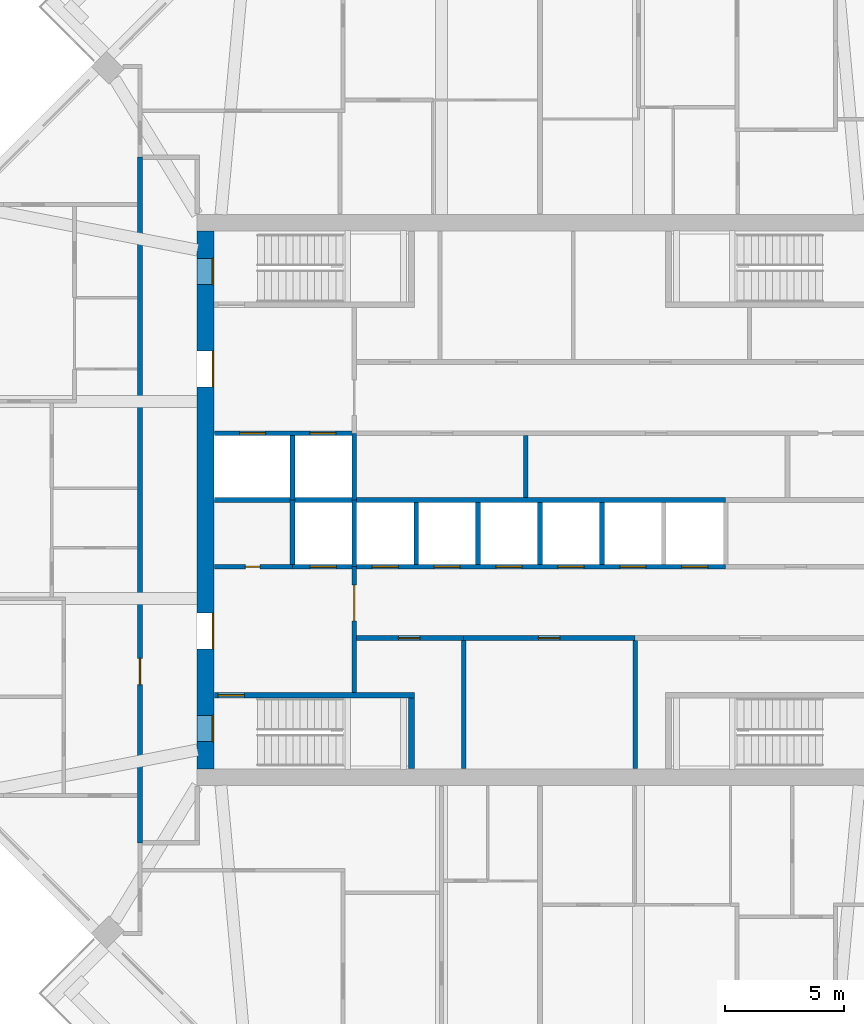
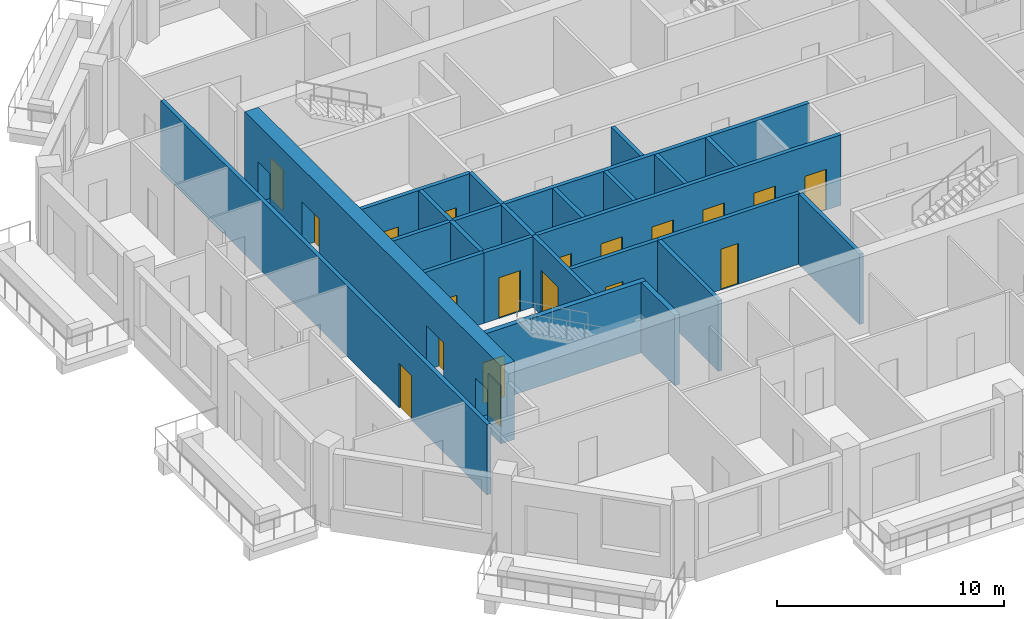
# One storey, part 4 of 12: 22 walls, 19 doors, 19 openings.
"""IFC4 building model written with IfcOpenShell, lengths in metres."""

from ifc_helpers import new_model, si_unit, direction, frame, frame_2d, origin, place, context, subcontext, project, spatial, rectangle, extrude, material, layer, layer_set, type_object, element, fill, save


model = new_model("IFC4")

# Units and contexts
model_context = context("Model", 3, precision=1e-05, world=origin(), true_north=direction((0.0, 1.0)))
body_context = subcontext(model_context, "Body", "Model", "MODEL_VIEW")
ifc_project = project(units=[si_unit("LENGTHUNIT", "METRE"), si_unit("AREAUNIT", "SQUARE_METRE"), si_unit("VOLUMEUNIT", "CUBIC_METRE"), si_unit("PLANEANGLEUNIT", "RADIAN"), si_unit("MASSUNIT", "GRAM", prefix="KILO")], contexts=[model_context])

# Site, building, storey
site_placement = place(None, origin())
site = spatial("IfcSite", under=ifc_project, at=site_placement, CompositionType="ELEMENT")
building_placement = place(site_placement, origin())
building = spatial("IfcBuilding", under=site, at=building_placement, Name="Msitu Wima Residences", CompositionType="ELEMENT")
storey_placement = place(building_placement, frame((0.0, 0.0, 204.300048828125)))
storey = spatial("IfcBuildingStorey", under=building, at=storey_placement, Name="L47", CompositionType="ELEMENT", Elevation=204.300048828125)

# Wall, openings, doors
ifc_material_1 = material(Name="Concrete C60/75", Category="concrete")
ifc_layer_1 = layer(ifc_material_1, 0.699951171875)
ifc_layer_set_1 = layer_set([ifc_layer_1], Name="Concrete C60/75")
wall_type_1 = type_object("IfcWallType", Name="Core wall CW700 C60/75", PredefinedType="SHEAR", material=ifc_layer_set_1)
wall_1_placement = place(storey_placement, frame((-14.050048828125, -11.300048828125, 0.0), z_axis=(0.0, 0.0, 1.0), x_axis=(0.0, 1.0, 0.0)))
wall_1 = element("IfcWall", 1, at=wall_1_placement, inside=storey, type_object=wall_type_1, Name="Core wall", PredefinedType="SHEAR", context=body_context, shape_type="SweptSolid", body=[
    extrude(rectangle(XDim=22.60009765625, YDim=0.699951171875, at=frame_2d((11.300048828125, 0.0))), origin(), (0.0, 0.0, 1.0), 4.199951171875),
])
opening_1_placement = place(wall_1_placement, frame((20.35009765625, 0.0, 0.0)))
opening_1 = element("IfcOpeningElement", 2, at=opening_1_placement, cuts=wall_1, Name="Opening D47.077", PredefinedType="OPENING", context=body_context, shape_type="SweptSolid", body=[
    extrude(rectangle(XDim=1.10009765625, YDim=2.199951171875, at=frame_2d((0.550048828125, 1.10009765625))), frame((0.0, 0.35986328125, 0.0), z_axis=(0.0, -1.0, 0.0), x_axis=(1.0, 0.0, 0.0)), (0.0, 0.0, 1.0), 0.719970703125),
])
opening_2_placement = place(wall_1_placement, frame((1.14990234375, 0.0, 0.0)))
opening_2 = element("IfcOpeningElement", 3, at=opening_2_placement, cuts=wall_1, Name="Opening D47.079", PredefinedType="OPENING", context=body_context, shape_type="SweptSolid", body=[
    extrude(rectangle(XDim=1.10009765625, YDim=2.199951171875, at=frame_2d((0.550048828125, 1.10009765625))), frame((0.0, 0.35986328125, 0.0), z_axis=(0.0, -1.0, 0.0), x_axis=(1.0, 0.0, 0.0)), (0.0, 0.0, 1.0), 0.719970703125),
])
opening_3_placement = place(wall_1_placement, frame((16.050048828125, 0.0, 0.0)))
opening_3 = element("IfcOpeningElement", 4, at=opening_3_placement, cuts=wall_1, Name="Opening D47.060", PredefinedType="OPENING", context=body_context, shape_type="SweptSolid", body=[
    extrude(rectangle(XDim=1.5, YDim=2.39990234375, at=frame_2d((0.75, 1.199951171875))), frame((0.0, 0.35986328125, 0.0), z_axis=(0.0, -1.0, 0.0), x_axis=(1.0, 0.0, 0.0)), (0.0, 0.0, 1.0), 0.719970703125),
])
opening_4_placement = place(wall_1_placement, frame((5.050048828125, 0.0, 0.0)))
opening_4 = element("IfcOpeningElement", 5, at=opening_4_placement, cuts=wall_1, Name="Opening D47.062", PredefinedType="OPENING", context=body_context, shape_type="SweptSolid", body=[
    extrude(rectangle(XDim=1.5, YDim=2.39990234375, at=frame_2d((0.75, 1.199951171875))), frame((0.0, 0.35986328125, 0.0), z_axis=(0.0, -1.0, 0.0), x_axis=(1.0, 0.0, 0.0)), (0.0, 0.0, 1.0), 0.719970703125),
])
ifc_material_2 = material(Name="Steel framed glazed door, fire resisting", Category="steel")
door_type_1 = type_object("IfcDoorType", Name="Lobby door D07 1500x2400", OperationType="DOUBLE_DOOR_SINGLE_SWING", PredefinedType="DOOR", material=ifc_material_2)
door_1_placement = place(opening_3_placement, origin())
door_1 = element("IfcDoor", 6, at=door_1_placement, inside=storey, type_object=door_type_1, Name="Lobby door", OperationType="DOUBLE_DOOR_SINGLE_SWING", OverallHeight=2.39990234375, OverallWidth=1.5, PredefinedType="DOOR", context=body_context, shape_type="SweptSolid", body=[
    extrude(rectangle(XDim=1.5, YDim=2.39990234375, at=frame_2d((0.75, 1.199951171875))), frame((0.0, -0.294921875, 0.0), z_axis=(0.0, -1.0, 0.0), x_axis=(1.0, 0.0, 0.0)), (0.0, 0.0, 1.0), 0.050048828125),
])
fill(opening_3, door_1)
door_2_placement = place(opening_4_placement, origin())
door_2 = element("IfcDoor", 7, at=door_2_placement, inside=storey, type_object=door_type_1, Name="Lobby door", OperationType="DOUBLE_DOOR_SINGLE_SWING", OverallHeight=2.39990234375, OverallWidth=1.5, PredefinedType="DOOR", context=body_context, shape_type="SweptSolid", body=[
    extrude(rectangle(XDim=1.5, YDim=2.39990234375, at=frame_2d((0.75, 1.199951171875))), frame((0.0, -0.294921875, 0.0), z_axis=(0.0, -1.0, 0.0), x_axis=(1.0, 0.0, 0.0)), (0.0, 0.0, 1.0), 0.050048828125),
])
fill(opening_4, door_2)
ifc_material_3 = material(Name="Steel door, fire resisting, panic bar", Category="steel")
door_type_2 = type_object("IfcDoorType", Name="Stair door D06 1100x2200", OperationType="SINGLE_SWING_LEFT", PredefinedType="DOOR", material=ifc_material_3)
door_3_placement = place(opening_1_placement, origin())
door_3 = element("IfcDoor", 8, at=door_3_placement, inside=storey, type_object=door_type_2, Name="Stair door", OperationType="SINGLE_SWING_RIGHT", OverallHeight=2.199951171875, OverallWidth=1.10009765625, PredefinedType="DOOR", context=body_context, shape_type="SweptSolid", body=[
    extrude(rectangle(XDim=1.10009765625, YDim=2.199951171875, at=frame_2d((0.550048828125, 1.10009765625))), frame((0.0, -0.294921875, 0.0), z_axis=(0.0, -1.0, 0.0), x_axis=(1.0, 0.0, 0.0)), (0.0, 0.0, 1.0), 0.050048828125),
])
fill(opening_1, door_3)
door_4_placement = place(opening_2_placement, origin())
door_4 = element("IfcDoor", 9, at=door_4_placement, inside=storey, type_object=door_type_2, Name="Stair door", OperationType="SINGLE_SWING_LEFT", OverallHeight=2.199951171875, OverallWidth=1.10009765625, PredefinedType="DOOR", context=body_context, shape_type="SweptSolid", body=[
    extrude(rectangle(XDim=1.10009765625, YDim=2.199951171875, at=frame_2d((0.550048828125, 1.10009765625))), frame((0.0, -0.294921875, 0.0), z_axis=(0.0, -1.0, 0.0), x_axis=(1.0, 0.0, 0.0)), (0.0, 0.0, 1.0), 0.050048828125),
])
fill(opening_2, door_4)

# Wall, opening, door
ifc_material_4 = material(Name="Plaster")
ifc_layer_2 = layer(ifc_material_4, 0.011962890625, Name="Plaster")
ifc_material_5 = material(Name="Concrete blockwork", Category="masonry")
ifc_layer_3 = layer(ifc_material_5, 0.176025390625, Name="Concrete blockwork")
ifc_layer_4 = layer(ifc_material_4, 0.011962890625, Name="Plaster")
ifc_layer_set_2 = layer_set([ifc_layer_2, ifc_layer_3, ifc_layer_4], Name="Concrete blockwork")
wall_type_2 = type_object("IfcWallType", Name="Corridor wall FW200", PredefinedType="PARTITIONING", material=ifc_layer_set_2)
wall_2_placement = place(storey_placement, frame((-16.800048828125, -14.39990234375, 0.0), z_axis=(0.0, 0.0, 1.0), x_axis=(0.0, 1.0, 0.0)))
wall_2 = element("IfcWall", 10, at=wall_2_placement, inside=storey, type_object=wall_type_2, Name="Corridor wall", PredefinedType="PARTITIONING", context=body_context, shape_type="SweptSolid", body=[
    extrude(rectangle(XDim=28.7998046875, YDim=0.199951171875, at=frame_2d((14.39990234375, 0.0))), origin(), (0.0, 0.0, 1.0), 3.7978515625),
])
opening_5_placement = place(wall_2_placement, frame((6.64990234375, 0.0, 0.0)))
opening_5 = element("IfcOpeningElement", 11, at=opening_5_placement, cuts=wall_2, Name="Opening D47.024", PredefinedType="OPENING", context=body_context, shape_type="SweptSolid", body=[
    extrude(rectangle(XDim=1.10009765625, YDim=2.39990234375, at=frame_2d((0.550048828125, 1.199951171875))), frame((0.0, 0.10986328125, 0.0), z_axis=(0.0, -1.0, 0.0), x_axis=(1.0, 0.0, 0.0)), (0.0, 0.0, 1.0), 0.219970703125),
])
ifc_material_6 = material(Name="Timber flush door, fire resisting, self-closing", Category="wood")
door_type_3 = type_object("IfcDoorType", Name="Flat entrance door D01 1100x2400", OperationType="SINGLE_SWING_LEFT", PredefinedType="DOOR", material=ifc_material_6)
door_5_placement = place(opening_5_placement, origin())
door_5 = element("IfcDoor", 12, at=door_5_placement, inside=storey, type_object=door_type_3, Name="Flat entrance door", OperationType="SINGLE_SWING_LEFT", OverallHeight=2.39990234375, OverallWidth=1.10009765625, PredefinedType="DOOR", context=body_context, shape_type="SweptSolid", body=[
    extrude(rectangle(XDim=1.10009765625, YDim=2.39990234375, at=frame_2d((0.550048828125, 1.199951171875))), frame((0.0, 0.02490234375, 0.0), z_axis=(0.0, -1.0, 0.0), x_axis=(1.0, 0.0, 0.0)), (0.0, 0.0, 1.0), 0.050048828125),
])
fill(opening_5, door_5)

wall_3_placement = place(storey_placement, frame((-7.800048828125, -8.074951171875, 0.0), z_axis=(0.0, 0.0, 1.0), x_axis=(0.0, 1.0, 0.0)))
wall_3 = element("IfcWall", 13, at=wall_3_placement, inside=storey, type_object=wall_type_2, Name="Corridor wall", PredefinedType="PARTITIONING", context=body_context, shape_type="SweptSolid", body=[
    extrude(rectangle(XDim=5.27490234375, YDim=0.199951171875, at=frame_2d((2.637451171875, 0.0))), origin(), (0.0, 0.0, 1.0), 3.7978515625),
])
opening_6_placement = place(wall_3_placement, frame((3.0, 0.0, 0.0)))
opening_6 = element("IfcOpeningElement", 14, at=opening_6_placement, cuts=wall_3, Name="Opening D47.063", PredefinedType="OPENING", context=body_context, shape_type="SweptSolid", body=[
    extrude(rectangle(XDim=1.5, YDim=2.39990234375, at=frame_2d((0.75, 1.199951171875))), frame((0.0, 0.10986328125, 0.0), z_axis=(0.0, -1.0, 0.0), x_axis=(1.0, 0.0, 0.0)), (0.0, 0.0, 1.0), 0.219970703125),
])
door_6_placement = place(opening_6_placement, origin())
door_6 = element("IfcDoor", 15, at=door_6_placement, inside=storey, type_object=door_type_1, Name="Lobby door", OperationType="DOUBLE_DOOR_SINGLE_SWING", OverallHeight=2.39990234375, OverallWidth=1.5, PredefinedType="DOOR", context=body_context, shape_type="SweptSolid", body=[
    extrude(rectangle(XDim=1.5, YDim=2.39990234375, at=frame_2d((0.75, 1.199951171875))), frame((0.0, 0.02490234375, 0.0), z_axis=(0.0, -1.0, 0.0), x_axis=(1.0, 0.0, 0.0)), (0.0, 0.0, 1.0), 0.050048828125),
])
fill(opening_6, door_6)

wall_4_placement = place(storey_placement, frame((-7.699951171875, -5.800048828125, 0.0), z_axis=(0.0, 0.0, 1.0), x_axis=(1.0, 0.0, 0.0)))
wall_4 = element("IfcWall", 16, at=wall_4_placement, inside=storey, type_object=wall_type_2, Name="Corridor wall", PredefinedType="PARTITIONING", context=body_context, shape_type="SweptSolid", body=[
    extrude(rectangle(XDim=4.47998046875, YDim=0.199951171875, at=frame_2d((2.239990234375, 0.0))), origin(), (0.0, 0.0, 1.0), 3.7978515625),
])
opening_7_placement = place(wall_4_placement, frame((1.75, 0.0, 0.0)))
opening_7 = element("IfcOpeningElement", 17, at=opening_7_placement, cuts=wall_4, Name="Opening D47.068", PredefinedType="OPENING", context=body_context, shape_type="SweptSolid", body=[
    extrude(rectangle(XDim=0.89990234375, YDim=2.199951171875, at=frame_2d((0.449951171875, 1.10009765625))), frame((0.0, 0.10986328125, 0.0), z_axis=(0.0, -1.0, 0.0), x_axis=(1.0, 0.0, 0.0)), (0.0, 0.0, 1.0), 0.219970703125),
])
ifc_material_7 = material(Name="Timber flush door", Category="wood")
door_type_4 = type_object("IfcDoorType", Name="Service door D05 900x2200", OperationType="SINGLE_SWING_LEFT", PredefinedType="DOOR", material=ifc_material_7)
door_7_placement = place(opening_7_placement, origin())
door_7 = element("IfcDoor", 18, at=door_7_placement, inside=storey, type_object=door_type_4, Name="Service door", OperationType="SINGLE_SWING_RIGHT", OverallHeight=2.199951171875, OverallWidth=0.89990234375, PredefinedType="DOOR", context=body_context, shape_type="SweptSolid", body=[
    extrude(rectangle(XDim=0.89990234375, YDim=2.199951171875, at=frame_2d((0.449951171875, 1.10009765625))), frame((0.0, 0.02490234375, 0.0), z_axis=(0.0, -1.0, 0.0), x_axis=(1.0, 0.0, 0.0)), (0.0, 0.0, 1.0), 0.050048828125),
])
fill(opening_7, door_7)

ifc_layer_5 = layer(ifc_material_4, 0.011962890625, Name="Plaster")
ifc_material_8 = material(Name="Reinforced concrete blockwork", Category="masonry")
ifc_layer_6 = layer(ifc_material_8, 0.176025390625, Name="Reinforced concrete blockwork")
ifc_layer_7 = layer(ifc_material_4, 0.011962890625, Name="Plaster")
ifc_layer_set_3 = layer_set([ifc_layer_5, ifc_layer_6, ifc_layer_7], Name="Reinforced concrete blockwork")
wall_type_3 = type_object("IfcWallType", Name="Plant and riser wall PL200", PredefinedType="PARTITIONING", material=ifc_layer_set_3)
wall_5_placement = place(storey_placement, frame((-13.669921875, -2.800048828125, 0.0), z_axis=(0.0, 0.0, 1.0), x_axis=(1.0, 0.0, 0.0)))
wall_5 = element("IfcWall", 19, at=wall_5_placement, inside=storey, type_object=wall_type_3, Name="Plant and riser wall", PredefinedType="PARTITIONING", context=body_context, shape_type="SweptSolid", body=[
    extrude(rectangle(XDim=3.27001953125, YDim=0.199951171875, at=frame_2d((1.635009765625, 0.0))), origin(), (0.0, 0.0, 1.0), 3.7978515625),
])
opening_8_placement = place(wall_5_placement, frame((1.300048828125, 0.0, 0.0)))
opening_8 = element("IfcOpeningElement", 20, at=opening_8_placement, cuts=wall_5, Name="Opening D47.076", PredefinedType="OPENING", context=body_context, shape_type="SweptSolid", body=[
    extrude(rectangle(XDim=0.60009765625, YDim=2.0, at=frame_2d((0.300048828125, 1.0))), frame((0.0, 0.10986328125, 0.0), z_axis=(0.0, -1.0, 0.0), x_axis=(1.0, 0.0, 0.0)), (0.0, 0.0, 1.0), 0.219970703125),
])
ifc_material_9 = material(Name="Steel access door, fire resisting", Category="steel")
door_type_5 = type_object("IfcDoorType", Name="Riser access door D08 600x2000", OperationType="SINGLE_SWING_LEFT", PredefinedType="DOOR", material=ifc_material_9)
door_8_placement = place(opening_8_placement, origin())
door_8 = element("IfcDoor", 21, at=door_8_placement, inside=storey, type_object=door_type_5, Name="Riser access door", OperationType="SINGLE_SWING_RIGHT", OverallHeight=2.0, OverallWidth=0.60009765625, PredefinedType="DOOR", context=body_context, shape_type="SweptSolid", body=[
    extrude(rectangle(XDim=0.60009765625, YDim=2.0, at=frame_2d((0.300048828125, 1.0))), frame((0.0, 0.02490234375, 0.0), z_axis=(0.0, -1.0, 0.0), x_axis=(1.0, 0.0, 0.0)), (0.0, 0.0, 1.0), 0.050048828125),
])
fill(opening_8, door_8)

wall_6_placement = place(storey_placement, frame((-3.219970703125, -5.800048828125, 0.0), z_axis=(0.0, 0.0, 1.0), x_axis=(1.0, 0.0, 0.0)))
wall_6 = element("IfcWall", 22, at=wall_6_placement, inside=storey, type_object=wall_type_3, Name="Plant and riser wall", PredefinedType="PARTITIONING", context=body_context, shape_type="SweptSolid", body=[
    extrude(rectangle(XDim=7.199951171875, YDim=0.199951171875, at=frame_2d((3.60009765625, 0.0))), origin(), (0.0, 0.0, 1.0), 3.7978515625),
])
opening_9_placement = place(wall_6_placement, frame((3.14990234375, 0.0, 0.0)))
opening_9 = element("IfcOpeningElement", 23, at=opening_9_placement, cuts=wall_6, Name="Opening D47.069", PredefinedType="OPENING", context=body_context, shape_type="SweptSolid", body=[
    extrude(rectangle(XDim=0.89990234375, YDim=2.199951171875, at=frame_2d((0.449951171875, 1.10009765625))), frame((0.0, 0.10986328125, 0.0), z_axis=(0.0, -1.0, 0.0), x_axis=(1.0, 0.0, 0.0)), (0.0, 0.0, 1.0), 0.219970703125),
])
door_9_placement = place(opening_9_placement, origin())
door_9 = element("IfcDoor", 24, at=door_9_placement, inside=storey, type_object=door_type_4, Name="Service door", OperationType="SINGLE_SWING_LEFT", OverallHeight=2.199951171875, OverallWidth=0.89990234375, PredefinedType="DOOR", context=body_context, shape_type="SweptSolid", body=[
    extrude(rectangle(XDim=0.89990234375, YDim=2.199951171875, at=frame_2d((0.449951171875, 1.10009765625))), frame((0.0, 0.02490234375, 0.0), z_axis=(0.0, -1.0, 0.0), x_axis=(1.0, 0.0, 0.0)), (0.0, 0.0, 1.0), 0.050048828125),
])
fill(opening_9, door_9)

# Walls
wall_7_placement = place(storey_placement, frame((-3.199951171875, -11.27001953125, 0.0), z_axis=(0.0, 0.0, 1.0), x_axis=(0.0, 1.0, 0.0)))
element("IfcWall", 25, at=wall_7_placement, inside=storey, type_object=wall_type_3, Name="Plant and riser wall", PredefinedType="PARTITIONING", context=body_context, shape_type="SweptSolid", body=[
    extrude(rectangle(XDim=5.3701171875, YDim=0.199951171875, at=frame_2d((2.68505859375, 0.0))), origin(), (0.0, 0.0, 1.0), 3.7978515625),
])
wall_8_placement = place(storey_placement, frame((-0.60009765625, 0.10009765625, 0.0), z_axis=(0.0, 0.0, 1.0), x_axis=(0.0, 1.0, 0.0)))
element("IfcWall", 26, at=wall_8_placement, inside=storey, type_object=wall_type_3, Name="Plant and riser wall", PredefinedType="PARTITIONING", context=body_context, shape_type="SweptSolid", body=[
    extrude(rectangle(XDim=2.599853515625, YDim=0.199951171875, at=frame_2d((1.2998046875, 0.0))), origin(), (0.0, 0.0, 1.0), 3.7978515625),
])
wall_9_placement = place(storey_placement, frame((4.0, -11.27001953125, 0.0), z_axis=(0.0, 0.0, 1.0), x_axis=(0.0, 1.0, 0.0)))
element("IfcWall", 27, at=wall_9_placement, inside=storey, type_object=wall_type_3, Name="Plant and riser wall", PredefinedType="PARTITIONING", context=body_context, shape_type="SweptSolid", body=[
    extrude(rectangle(XDim=5.3701171875, YDim=0.199951171875, at=frame_2d((2.68505859375, 0.0))), origin(), (0.0, 0.0, 1.0), 3.7978515625),
])
ifc_material_10 = material(Name="Fire-rated board")
ifc_layer_8 = layer(ifc_material_10, 0.02490234375, Name="Fire-rated board")
ifc_material_11 = material(Name="Light-gauge stud framing with mineral wool")
ifc_layer_9 = layer(ifc_material_11, 0.14990234375, Name="Light-gauge stud framing with mineral wool")
ifc_layer_10 = layer(ifc_material_10, 0.02490234375, Name="Fire-rated board")
ifc_layer_set_4 = layer_set([ifc_layer_8, ifc_layer_9, ifc_layer_10], Name="Light-gauge stud framing with mineral wool")
wall_type_4 = type_object("IfcWallType", Name="Shaft wall SH200", PredefinedType="PARTITIONING", material=ifc_layer_set_4)
wall_10_placement = place(storey_placement, frame((-13.669921875, 0.0, 0.0), z_axis=(0.0, 0.0, 1.0), x_axis=(1.0, 0.0, 0.0)))
element("IfcWall", 28, at=wall_10_placement, inside=storey, type_object=wall_type_4, Name="Shaft wall", PredefinedType="PARTITIONING", context=body_context, shape_type="SweptSolid", body=[
    extrude(rectangle(XDim=21.469970703125, YDim=0.199951171875, at=frame_2d((10.73486328125, 0.0))), origin(), (0.0, 0.0, 1.0), 3.7978515625),
])

# Wall, openings, doors
wall_11_placement = place(storey_placement, frame((-13.669921875, 2.800048828125, 0.0), z_axis=(0.0, 0.0, 1.0), x_axis=(1.0, 0.0, 0.0)))
wall_11 = element("IfcWall", 29, at=wall_11_placement, inside=storey, type_object=wall_type_4, Name="Shaft wall", PredefinedType="PARTITIONING", context=body_context, shape_type="SweptSolid", body=[
    extrude(rectangle(XDim=5.849853515625, YDim=0.199951171875, at=frame_2d((2.9248046875, 0.0))), origin(), (0.0, 0.0, 1.0), 3.7978515625),
])
opening_10_placement = place(wall_11_placement, frame((1.050048828125, 0.0, 0.0)))
opening_10 = element("IfcOpeningElement", 30, at=opening_10_placement, cuts=wall_11, Name="Opening LD", PredefinedType="OPENING", context=body_context, shape_type="SweptSolid", body=[
    extrude(rectangle(XDim=1.10009765625, YDim=2.199951171875, at=frame_2d((0.550048828125, 1.10009765625))), frame((0.0, 0.10986328125, 0.0), z_axis=(0.0, -1.0, 0.0), x_axis=(1.0, 0.0, 0.0)), (0.0, 0.0, 1.0), 0.219970703125),
])
opening_11_placement = place(wall_11_placement, frame((4.0, 0.0, 0.0)))
opening_11 = element("IfcOpeningElement", 31, at=opening_11_placement, cuts=wall_11, Name="Opening LD", PredefinedType="OPENING", context=body_context, shape_type="SweptSolid", body=[
    extrude(rectangle(XDim=1.10009765625, YDim=2.199951171875, at=frame_2d((0.550048828125, 1.10009765625))), frame((0.0, 0.10986328125, 0.0), z_axis=(0.0, -1.0, 0.0), x_axis=(1.0, 0.0, 0.0)), (0.0, 0.0, 1.0), 0.219970703125),
])
ifc_material_12 = material(Name="Stainless steel centre-opening landing door, rated", Category="steel")
door_type_6 = type_object("IfcDoorType", Name="Lift landing door LD 1100x2200", OperationType="DOUBLE_DOOR_SLIDING", PredefinedType="DOOR", material=ifc_material_12)
door_10_placement = place(opening_10_placement, origin())
door_10 = element("IfcDoor", 32, at=door_10_placement, inside=storey, type_object=door_type_6, Name="Lift landing door LD1", OperationType="DOUBLE_DOOR_SLIDING", OverallHeight=2.199951171875, OverallWidth=1.10009765625, PredefinedType="DOOR", context=body_context, shape_type="SweptSolid", body=[
    extrude(rectangle(XDim=1.10009765625, YDim=2.199951171875, at=frame_2d((0.550048828125, 1.10009765625))), frame((0.0, 0.02490234375, 0.0), z_axis=(0.0, -1.0, 0.0), x_axis=(1.0, 0.0, 0.0)), (0.0, 0.0, 1.0), 0.050048828125),
])
fill(opening_10, door_10)
door_11_placement = place(opening_11_placement, origin())
door_11 = element("IfcDoor", 33, at=door_11_placement, inside=storey, type_object=door_type_6, Name="Lift landing door LD2", OperationType="DOUBLE_DOOR_SLIDING", OverallHeight=2.199951171875, OverallWidth=1.10009765625, PredefinedType="DOOR", context=body_context, shape_type="SweptSolid", body=[
    extrude(rectangle(XDim=1.10009765625, YDim=2.199951171875, at=frame_2d((0.550048828125, 1.10009765625))), frame((0.0, 0.02490234375, 0.0), z_axis=(0.0, -1.0, 0.0), x_axis=(1.0, 0.0, 0.0)), (0.0, 0.0, 1.0), 0.050048828125),
])
fill(opening_11, door_11)

# Wall
wall_12_placement = place(storey_placement, frame((-10.39990234375, -2.699951171875, 0.0), z_axis=(0.0, 0.0, 1.0), x_axis=(0.0, 1.0, 0.0)))
element("IfcWall", 34, at=wall_12_placement, inside=storey, type_object=wall_type_4, Name="Shaft wall", PredefinedType="PARTITIONING", context=body_context, shape_type="SweptSolid", body=[
    extrude(rectangle(XDim=2.699951171875, YDim=0.199951171875, at=frame_2d((1.35009765625, 0.0))), origin(), (0.0, 0.0, 1.0), 3.7978515625),
])

# Wall, openings, doors
wall_13_placement = place(storey_placement, frame((-10.39990234375, -2.800048828125, 0.0), z_axis=(0.0, 0.0, 1.0), x_axis=(1.0, 0.0, 0.0)))
wall_13 = element("IfcWall", 35, at=wall_13_placement, inside=storey, type_object=wall_type_4, Name="Shaft wall", PredefinedType="PARTITIONING", context=body_context, shape_type="SweptSolid", body=[
    extrude(rectangle(XDim=18.199951171875, YDim=0.199951171875, at=frame_2d((9.10009765625, 0.0))), origin(), (0.0, 0.0, 1.0), 3.7978515625),
])
opening_12_placement = place(wall_13_placement, frame((0.75, 0.0, 0.0)))
opening_12 = element("IfcOpeningElement", 36, at=opening_12_placement, cuts=wall_13, Name="Opening LD", PredefinedType="OPENING", context=body_context, shape_type="SweptSolid", body=[
    extrude(rectangle(XDim=1.10009765625, YDim=2.199951171875, at=frame_2d((0.550048828125, 1.10009765625))), frame((0.0, 0.10986328125, 0.0), z_axis=(0.0, -1.0, 0.0), x_axis=(1.0, 0.0, 0.0)), (0.0, 0.0, 1.0), 0.219970703125),
])
opening_13_placement = place(wall_13_placement, frame((3.35009765625, 0.0, 0.0)))
opening_13 = element("IfcOpeningElement", 37, at=opening_13_placement, cuts=wall_13, Name="Opening LD", PredefinedType="OPENING", context=body_context, shape_type="SweptSolid", body=[
    extrude(rectangle(XDim=1.10009765625, YDim=2.199951171875, at=frame_2d((0.550048828125, 1.10009765625))), frame((0.0, 0.10986328125, 0.0), z_axis=(0.0, -1.0, 0.0), x_axis=(1.0, 0.0, 0.0)), (0.0, 0.0, 1.0), 0.219970703125),
])
opening_14_placement = place(wall_13_placement, frame((5.949951171875, 0.0, 0.0)))
opening_14 = element("IfcOpeningElement", 38, at=opening_14_placement, cuts=wall_13, Name="Opening LD", PredefinedType="OPENING", context=body_context, shape_type="SweptSolid", body=[
    extrude(rectangle(XDim=1.10009765625, YDim=2.199951171875, at=frame_2d((0.550048828125, 1.10009765625))), frame((0.0, 0.10986328125, 0.0), z_axis=(0.0, -1.0, 0.0), x_axis=(1.0, 0.0, 0.0)), (0.0, 0.0, 1.0), 0.219970703125),
])
opening_15_placement = place(wall_13_placement, frame((8.550048828125, 0.0, 0.0)))
opening_15 = element("IfcOpeningElement", 39, at=opening_15_placement, cuts=wall_13, Name="Opening LD", PredefinedType="OPENING", context=body_context, shape_type="SweptSolid", body=[
    extrude(rectangle(XDim=1.10009765625, YDim=2.199951171875, at=frame_2d((0.550048828125, 1.10009765625))), frame((0.0, 0.10986328125, 0.0), z_axis=(0.0, -1.0, 0.0), x_axis=(1.0, 0.0, 0.0)), (0.0, 0.0, 1.0), 0.219970703125),
])
opening_16_placement = place(wall_13_placement, frame((11.14990234375, 0.0, 0.0)))
opening_16 = element("IfcOpeningElement", 40, at=opening_16_placement, cuts=wall_13, Name="Opening LD", PredefinedType="OPENING", context=body_context, shape_type="SweptSolid", body=[
    extrude(rectangle(XDim=1.10009765625, YDim=2.199951171875, at=frame_2d((0.550048828125, 1.10009765625))), frame((0.0, 0.10986328125, 0.0), z_axis=(0.0, -1.0, 0.0), x_axis=(1.0, 0.0, 0.0)), (0.0, 0.0, 1.0), 0.219970703125),
])
opening_17_placement = place(wall_13_placement, frame((13.75, 0.0, 0.0)))
opening_17 = element("IfcOpeningElement", 41, at=opening_17_placement, cuts=wall_13, Name="Opening LD", PredefinedType="OPENING", context=body_context, shape_type="SweptSolid", body=[
    extrude(rectangle(XDim=1.10009765625, YDim=2.199951171875, at=frame_2d((0.550048828125, 1.10009765625))), frame((0.0, 0.10986328125, 0.0), z_axis=(0.0, -1.0, 0.0), x_axis=(1.0, 0.0, 0.0)), (0.0, 0.0, 1.0), 0.219970703125),
])
opening_18_placement = place(wall_13_placement, frame((16.35009765625, 0.0, 0.0)))
opening_18 = element("IfcOpeningElement", 42, at=opening_18_placement, cuts=wall_13, Name="Opening LD", PredefinedType="OPENING", context=body_context, shape_type="SweptSolid", body=[
    extrude(rectangle(XDim=1.10009765625, YDim=2.199951171875, at=frame_2d((0.550048828125, 1.10009765625))), frame((0.0, 0.10986328125, 0.0), z_axis=(0.0, -1.0, 0.0), x_axis=(1.0, 0.0, 0.0)), (0.0, 0.0, 1.0), 0.219970703125),
])
door_12_placement = place(opening_12_placement, origin())
door_12 = element("IfcDoor", 43, at=door_12_placement, inside=storey, type_object=door_type_6, Name="Lift landing door LD3", OperationType="DOUBLE_DOOR_SLIDING", OverallHeight=2.199951171875, OverallWidth=1.10009765625, PredefinedType="DOOR", context=body_context, shape_type="SweptSolid", body=[
    extrude(rectangle(XDim=1.10009765625, YDim=2.199951171875, at=frame_2d((0.550048828125, 1.10009765625))), frame((0.0, 0.02490234375, 0.0), z_axis=(0.0, -1.0, 0.0), x_axis=(1.0, 0.0, 0.0)), (0.0, 0.0, 1.0), 0.050048828125),
])
fill(opening_12, door_12)
door_13_placement = place(opening_13_placement, origin())
door_13 = element("IfcDoor", 44, at=door_13_placement, inside=storey, type_object=door_type_6, Name="Lift landing door LD5", OperationType="DOUBLE_DOOR_SLIDING", OverallHeight=2.199951171875, OverallWidth=1.10009765625, PredefinedType="DOOR", context=body_context, shape_type="SweptSolid", body=[
    extrude(rectangle(XDim=1.10009765625, YDim=2.199951171875, at=frame_2d((0.550048828125, 1.10009765625))), frame((0.0, 0.02490234375, 0.0), z_axis=(0.0, -1.0, 0.0), x_axis=(1.0, 0.0, 0.0)), (0.0, 0.0, 1.0), 0.050048828125),
])
fill(opening_13, door_13)
door_14_placement = place(opening_14_placement, origin())
door_14 = element("IfcDoor", 45, at=door_14_placement, inside=storey, type_object=door_type_6, Name="Lift landing door LD7", OperationType="DOUBLE_DOOR_SLIDING", OverallHeight=2.199951171875, OverallWidth=1.10009765625, PredefinedType="DOOR", context=body_context, shape_type="SweptSolid", body=[
    extrude(rectangle(XDim=1.10009765625, YDim=2.199951171875, at=frame_2d((0.550048828125, 1.10009765625))), frame((0.0, 0.02490234375, 0.0), z_axis=(0.0, -1.0, 0.0), x_axis=(1.0, 0.0, 0.0)), (0.0, 0.0, 1.0), 0.050048828125),
])
fill(opening_14, door_14)
door_15_placement = place(opening_15_placement, origin())
door_15 = element("IfcDoor", 46, at=door_15_placement, inside=storey, type_object=door_type_6, Name="Lift landing door LD9", OperationType="DOUBLE_DOOR_SLIDING", OverallHeight=2.199951171875, OverallWidth=1.10009765625, PredefinedType="DOOR", context=body_context, shape_type="SweptSolid", body=[
    extrude(rectangle(XDim=1.10009765625, YDim=2.199951171875, at=frame_2d((0.550048828125, 1.10009765625))), frame((0.0, 0.02490234375, 0.0), z_axis=(0.0, -1.0, 0.0), x_axis=(1.0, 0.0, 0.0)), (0.0, 0.0, 1.0), 0.050048828125),
])
fill(opening_15, door_15)
door_16_placement = place(opening_16_placement, origin())
door_16 = element("IfcDoor", 47, at=door_16_placement, inside=storey, type_object=door_type_6, Name="Lift landing door LD11", OperationType="DOUBLE_DOOR_SLIDING", OverallHeight=2.199951171875, OverallWidth=1.10009765625, PredefinedType="DOOR", context=body_context, shape_type="SweptSolid", body=[
    extrude(rectangle(XDim=1.10009765625, YDim=2.199951171875, at=frame_2d((0.550048828125, 1.10009765625))), frame((0.0, 0.02490234375, 0.0), z_axis=(0.0, -1.0, 0.0), x_axis=(1.0, 0.0, 0.0)), (0.0, 0.0, 1.0), 0.050048828125),
])
fill(opening_16, door_16)
door_17_placement = place(opening_17_placement, origin())
door_17 = element("IfcDoor", 48, at=door_17_placement, inside=storey, type_object=door_type_6, Name="Lift landing door LD13", OperationType="DOUBLE_DOOR_SLIDING", OverallHeight=2.199951171875, OverallWidth=1.10009765625, PredefinedType="DOOR", context=body_context, shape_type="SweptSolid", body=[
    extrude(rectangle(XDim=1.10009765625, YDim=2.199951171875, at=frame_2d((0.550048828125, 1.10009765625))), frame((0.0, 0.02490234375, 0.0), z_axis=(0.0, -1.0, 0.0), x_axis=(1.0, 0.0, 0.0)), (0.0, 0.0, 1.0), 0.050048828125),
])
fill(opening_17, door_17)
door_18_placement = place(opening_18_placement, origin())
door_18 = element("IfcDoor", 49, at=door_18_placement, inside=storey, type_object=door_type_6, Name="Lift landing door LD15", OperationType="DOUBLE_DOOR_SLIDING", OverallHeight=2.199951171875, OverallWidth=1.10009765625, PredefinedType="DOOR", context=body_context, shape_type="SweptSolid", body=[
    extrude(rectangle(XDim=1.10009765625, YDim=2.199951171875, at=frame_2d((0.550048828125, 1.10009765625))), frame((0.0, 0.02490234375, 0.0), z_axis=(0.0, -1.0, 0.0), x_axis=(1.0, 0.0, 0.0)), (0.0, 0.0, 1.0), 0.050048828125),
])
fill(opening_18, door_18)

# Walls
wall_14_placement = place(storey_placement, frame((-10.39990234375, 0.0, 0.0), z_axis=(0.0, 0.0, 1.0), x_axis=(0.0, 1.0, 0.0)))
element("IfcWall", 50, at=wall_14_placement, inside=storey, type_object=wall_type_4, Name="Shaft wall", PredefinedType="PARTITIONING", context=body_context, shape_type="SweptSolid", body=[
    extrude(rectangle(XDim=2.699951171875, YDim=0.199951171875, at=frame_2d((1.35009765625, 0.0))), origin(), (0.0, 0.0, 1.0), 3.7978515625),
])
for number, where, z_axis, x_axis, name in (
    (51, (-7.800048828125, -2.800048828125, 0.0), (0.0, 0.0, 1.0), (0.0, 1.0, 0.0), "Shaft wall"),
    (52, (-7.800048828125, 0.0, 0.0), (0.0, 0.0, 1.0), (0.0, 1.0, 0.0), "Shaft wall"),
):
    element("IfcWall", number, at=place(storey_placement, frame(where, z_axis=z_axis, x_axis=x_axis)), inside=storey, type_object=wall_type_4, Name=name, PredefinedType="PARTITIONING", context=body_context, shape_type="SweptSolid", body=[
        extrude(rectangle(XDim=2.800048828125, YDim=0.199951171875, at=frame_2d((1.39990234375, 0.0))), origin(), (0.0, 0.0, 1.0), 3.7978515625),
    ])
for number, where, z_axis, x_axis, name in (
    (53, (-5.199951171875, -2.699951171875, 0.0), (0.0, 0.0, 1.0), (0.0, 1.0, 0.0), "Shaft wall"),
    (54, (-2.60009765625, -2.699951171875, 0.0), (0.0, 0.0, 1.0), (0.0, 1.0, 0.0), "Shaft wall"),
    (55, (0.0, -2.699951171875, 0.0), (0.0, 0.0, 1.0), (0.0, 1.0, 0.0), "Shaft wall"),
    (56, (2.60009765625, -2.699951171875, 0.0), (0.0, 0.0, 1.0), (0.0, 1.0, 0.0), "Shaft wall"),
):
    element("IfcWall", number, at=place(storey_placement, frame(where, z_axis=z_axis, x_axis=x_axis)), inside=storey, type_object=wall_type_4, Name=name, PredefinedType="PARTITIONING", context=body_context, shape_type="SweptSolid", body=[
        extrude(rectangle(XDim=2.599853515625, YDim=0.199951171875, at=frame_2d((1.2998046875, 0.0))), origin(), (0.0, 0.0, 1.0), 3.7978515625),
    ])

# Wall, opening, door
ifc_material_13 = material(Name="Concrete C50/60", Category="concrete")
ifc_layer_11 = layer(ifc_material_13, 0.25)
ifc_layer_set_5 = layer_set([ifc_layer_11], Name="Concrete C50/60")
wall_type_5 = type_object("IfcWallType", Name="Stair enclosure wall SW250", PredefinedType="SHEAR", material=ifc_layer_set_5)
wall_15_placement = place(storey_placement, frame((-13.669921875, -8.199951171875, 0.0), z_axis=(0.0, 0.0, 1.0), x_axis=(1.0, 0.0, 0.0)))
wall_15 = element("IfcWall", 57, at=wall_15_placement, inside=storey, type_object=wall_type_5, Name="Stair enclosure wall", PredefinedType="SHEAR", context=body_context, shape_type="SweptSolid", body=[
    extrude(rectangle(XDim=8.39501953125, YDim=0.25, at=frame_2d((4.197509765625, 0.0))), origin(), (0.0, 0.0, 1.0), 3.7978515625),
])
opening_19_placement = place(wall_15_placement, frame((0.14990234375, 0.0, 0.0)))
opening_19 = element("IfcOpeningElement", 58, at=opening_19_placement, cuts=wall_15, Name="Opening D47.080", PredefinedType="OPENING", context=body_context, shape_type="SweptSolid", body=[
    extrude(rectangle(XDim=1.10009765625, YDim=2.199951171875, at=frame_2d((0.550048828125, 1.10009765625))), frame((0.0, 0.135009765625, 0.0), z_axis=(0.0, -1.0, 0.0), x_axis=(1.0, 0.0, 0.0)), (0.0, 0.0, 1.0), 0.27001953125),
])
door_19_placement = place(opening_19_placement, origin())
door_19 = element("IfcDoor", 59, at=door_19_placement, inside=storey, type_object=door_type_2, Name="Stair door", OperationType="SINGLE_SWING_RIGHT", OverallHeight=2.199951171875, OverallWidth=1.10009765625, PredefinedType="DOOR", context=body_context, shape_type="SweptSolid", body=[
    extrude(rectangle(XDim=1.10009765625, YDim=2.199951171875, at=frame_2d((0.550048828125, 1.10009765625))), frame((0.0, 0.02490234375, 0.0), z_axis=(0.0, -1.0, 0.0), x_axis=(1.0, 0.0, 0.0)), (0.0, 0.0, 1.0), 0.050048828125),
])
fill(opening_19, door_19)

# Wall
wall_16_placement = place(storey_placement, frame((-5.39990234375, -11.27001953125, 0.0), z_axis=(0.0, 0.0, 1.0), x_axis=(0.0, 1.0, 0.0)))
element("IfcWall", 60, at=wall_16_placement, inside=storey, type_object=wall_type_5, Name="Stair enclosure wall", PredefinedType="SHEAR", context=body_context, shape_type="SweptSolid", body=[
    extrude(rectangle(XDim=2.945068359375, YDim=0.25, at=frame_2d((1.47265625, 0.0))), origin(), (0.0, 0.0, 1.0), 3.7978515625),
])

save(model, "model.ifc")
